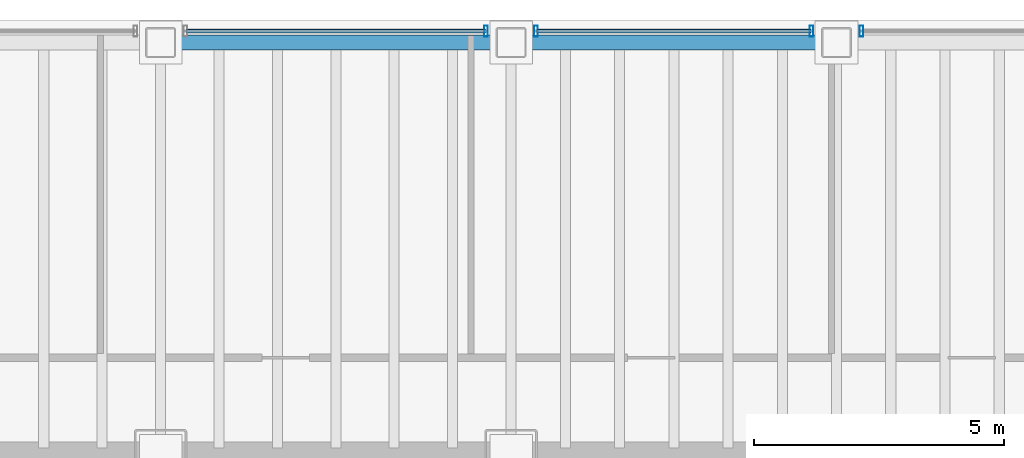
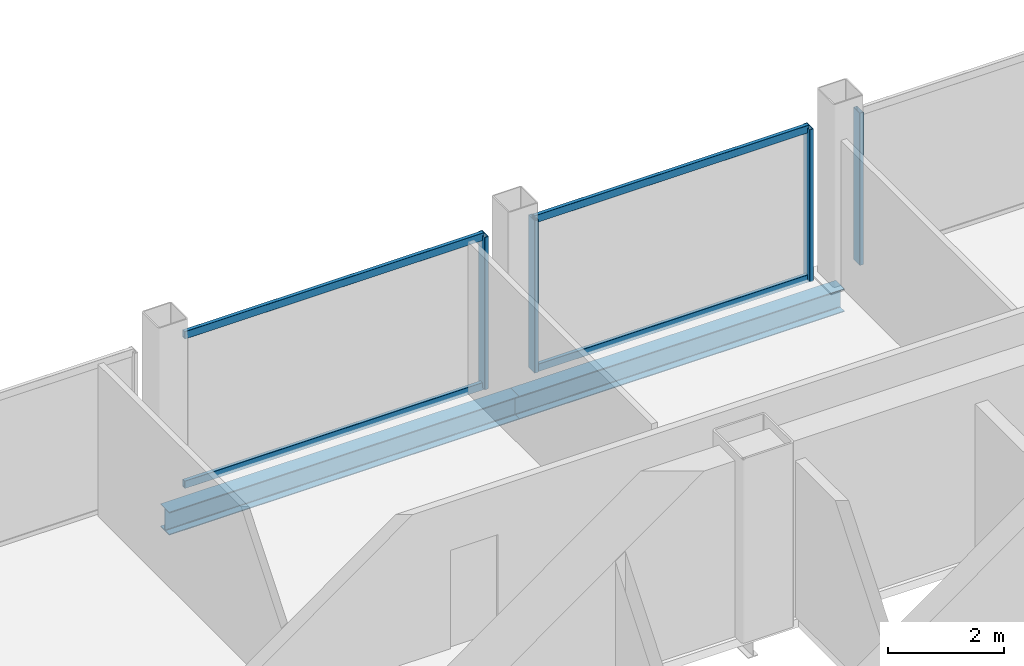
# One storey, part 14 of 20: 8 members, 2 beams, 3 elements without a shape of their own.
"""IFC4 building model written with IfcOpenShell, lengths in metres."""

from ifc_helpers import new_model, si_unit, direction, frame, origin, origin_2d, place, context, subcontext, project, spatial, hollow_rectangle, i_section, extrude, material, material_profile, profile_set, type_object, element, aggregate, save


model = new_model("IFC4")

# Units and contexts
model_context = context("Model", 3, precision=1e-05, world=origin(), true_north=direction((0.0, 1.0)))
body_context = subcontext(model_context, "Body", "Model", "MODEL_VIEW")
ifc_project = project(units=[si_unit("LENGTHUNIT", "METRE"), si_unit("AREAUNIT", "SQUARE_METRE"), si_unit("VOLUMEUNIT", "CUBIC_METRE"), si_unit("PLANEANGLEUNIT", "RADIAN"), si_unit("MASSUNIT", "GRAM", prefix="KILO")], contexts=[model_context])

# Site, building, storey
site_placement = place(None, origin())
site = spatial("IfcSite", under=ifc_project, at=site_placement, CompositionType="ELEMENT")
building_placement = place(site_placement, origin())
building = spatial("IfcBuilding", under=site, at=building_placement, Name="Noeulbin Bourse Tower", CompositionType="ELEMENT")
storey_placement = place(building_placement, frame((0.0, 0.0, 65.5)))
storey = spatial("IfcBuildingStorey", under=building, at=storey_placement, Name="L16", CompositionType="ELEMENT", Elevation=65.5)

# Beams
ifc_material_1 = material(Name="Steel S355", Category="steel")
ifc_material_profile_1 = material_profile(ifc_material_1, i_section(OverallWidth=0.300048828125, OverallDepth=0.488037109375, WebThickness=0.010986328125, FlangeThickness=0.01806640625, FilletRadius=0.02197265625, at=origin_2d()), Name="H-488x300x11x18", Category="LoadBearing")
ifc_profile_set_1 = profile_set([ifc_material_profile_1], Name="Steel S355")
beam_type = type_object("IfcBeamType", Name="BM-SPN-488", PredefinedType="SPANDREL", material=ifc_profile_set_1)
beam_1_placement = place(storey_placement, frame((24.0, 46.550048828125, -0.424072265625), z_axis=(1.0, 0.0, 0.0), x_axis=(0.0, 1.0, 0.0)))
element("IfcBeam", 1, at=beam_1_placement, inside=storey, type_object=beam_type, Name="North Spandrel L16-2", PredefinedType="SPANDREL", context=body_context, shape_type="SweptSolid", body=[
    extrude(i_section(OverallWidth=0.300048828125, OverallDepth=0.488037109375, WebThickness=0.010986328125, FlangeThickness=0.01806640625, FilletRadius=0.02197265625, at=origin_2d()), origin(), (0.0, 0.0, 1.0), 7.0),
])
beam_2_placement = place(storey_placement, frame((31.0, 46.550048828125, -0.424072265625), z_axis=(1.0, 0.0, 0.0), x_axis=(0.0, 1.0, 0.0)))
element("IfcBeam", 2, at=beam_2_placement, inside=storey, type_object=beam_type, Name="North Spandrel L16-3", PredefinedType="SPANDREL", context=body_context, shape_type="SweptSolid", body=[
    extrude(i_section(OverallWidth=0.300048828125, OverallDepth=0.488037109375, WebThickness=0.010986328125, FlangeThickness=0.01806640625, FilletRadius=0.02197265625, at=origin_2d()), origin(), (0.0, 0.0, 1.0), 6.5),
])

# Curtain wall, member
ifc_material_2 = material(Name="Dark Solar-Control Double Glazing", Category="glass")
curtain_wall_type = type_object("IfcCurtainWallType", Name="CW-SYS-2", PredefinedType="NOTDEFINED", material=ifc_material_2)
curtain_wall_1_placement = place(storey_placement, origin())
curtain_wall_1 = element("IfcCurtainWall", 3, at=curtain_wall_1_placement, inside=storey, type_object=curtain_wall_type, Name="Unitised Curtain Wall CW-L16-N-S3", PredefinedType="NOTDEFINED")
ifc_material_3 = material(Name="Anodised Aluminium 6063-T6", Category="aluminium")
ifc_material_profile_2 = material_profile(ifc_material_3, hollow_rectangle(XDim=0.074951171875, YDim=0.219970703125, WallThickness=0.0048828125, InnerFilletRadius=0.00244140625, OuterFilletRadius=0.0048828125, at=origin_2d()), Name="ALU-MULL-75x220x5", Category="LoadBearing")
ifc_profile_set_2 = profile_set([ifc_material_profile_2], Name="Anodised Aluminium 6063-T6")
member_type_1 = type_object("IfcMemberType", Name="CW-SYS-2-MUL", PredefinedType="MULLION", material=ifc_profile_set_2)
member_1_placement = place(storey_placement, frame((30.5, 46.780029296875, -0.02001953125), z_axis=(0.0, 0.0, 1.0), x_axis=(1.0, 0.0, 0.0)))
member_1 = element("IfcMember", 4, at=member_1_placement, type_object=member_type_1, Name="Curtain Wall Mullion CW-L16-N-S3-M01", PredefinedType="MULLION", context=body_context, shape_type="SweptSolid", body=[
    extrude(hollow_rectangle(XDim=0.074951171875, YDim=0.219970703125, WallThickness=0.0048828125, InnerFilletRadius=0.00244140625, OuterFilletRadius=0.0048828125, at=origin_2d()), origin(), (0.0, 0.0, 1.0), 3.219970703125),
])

# Curtain wall, members
curtain_wall_2_placement = place(storey_placement, origin())
curtain_wall_2 = element("IfcCurtainWall", 5, at=curtain_wall_2_placement, inside=storey, type_object=curtain_wall_type, Name="Unitised Curtain Wall CW-L16-N-S4", PredefinedType="NOTDEFINED")
member_2_placement = place(storey_placement, frame((31.5, 46.780029296875, -0.02001953125), z_axis=(0.0, 0.0, 1.0), x_axis=(1.0, 0.0, 0.0)))
member_2 = element("IfcMember", 6, at=member_2_placement, type_object=member_type_1, Name="Curtain Wall Mullion CW-L16-N-S4-M00", PredefinedType="MULLION", context=body_context, shape_type="SweptSolid", body=[
    extrude(hollow_rectangle(XDim=0.074951171875, YDim=0.219970703125, WallThickness=0.0048828125, InnerFilletRadius=0.00244140625, OuterFilletRadius=0.0048828125, at=origin_2d()), origin(), (0.0, 0.0, 1.0), 3.219970703125),
])
member_3_placement = place(storey_placement, frame((37.0, 46.780029296875, -0.02001953125), z_axis=(0.0, 0.0, 1.0), x_axis=(1.0, 0.0, 0.0)))
member_3 = element("IfcMember", 7, at=member_3_placement, type_object=member_type_1, Name="Curtain Wall Mullion CW-L16-N-S4-M01", PredefinedType="MULLION", context=body_context, shape_type="SweptSolid", body=[
    extrude(hollow_rectangle(XDim=0.074951171875, YDim=0.219970703125, WallThickness=0.0048828125, InnerFilletRadius=0.00244140625, OuterFilletRadius=0.0048828125, at=origin_2d()), origin(), (0.0, 0.0, 1.0), 3.219970703125),
])

# Curtain wall, member
curtain_wall_3_placement = place(storey_placement, origin())
curtain_wall_3 = element("IfcCurtainWall", 8, at=curtain_wall_3_placement, inside=storey, type_object=curtain_wall_type, Name="Unitised Curtain Wall CW-L16-N-S5", PredefinedType="NOTDEFINED")
member_4_placement = place(storey_placement, frame((38.0, 46.780029296875, -0.02001953125), z_axis=(0.0, 0.0, 1.0), x_axis=(1.0, 0.0, 0.0)))
member_4 = element("IfcMember", 9, at=member_4_placement, type_object=member_type_1, Name="Curtain Wall Mullion CW-L16-N-S5-M00", PredefinedType="MULLION", context=body_context, shape_type="SweptSolid", body=[
    extrude(hollow_rectangle(XDim=0.074951171875, YDim=0.219970703125, WallThickness=0.0048828125, InnerFilletRadius=0.00244140625, OuterFilletRadius=0.0048828125, at=origin_2d()), origin(), (0.0, 0.0, 1.0), 3.219970703125),
])
aggregate(curtain_wall_3, [member_4])

# Member
ifc_material_profile_3 = material_profile(ifc_material_3, hollow_rectangle(XDim=0.074951171875, YDim=0.159912109375, WallThickness=0.0048828125, InnerFilletRadius=0.00244140625, OuterFilletRadius=0.0048828125, at=origin_2d()), Name="ALU-TRAN-75x160x5", Category="LoadBearing")
ifc_profile_set_3 = profile_set([ifc_material_profile_3], Name="Anodised Aluminium 6063-T6")
member_type_2 = type_object("IfcMemberType", Name="CW-SYS-2-TRN", PredefinedType="USERDEFINED", material=ifc_profile_set_3)
member_5_placement = place(storey_placement, frame((24.510009765625, 46.780029296875, 0.010009765625), z_axis=(1.0, 0.0, 0.0), x_axis=(0.0, 1.0, 0.0)))
member_5 = element("IfcMember", 10, at=member_5_placement, type_object=member_type_2, Name="Curtain Wall Transom CW-L16-N-S3-T00", ObjectType="TRANSOM", PredefinedType="USERDEFINED", context=body_context, shape_type="SweptSolid", body=[
    extrude(hollow_rectangle(XDim=0.074951171875, YDim=0.159912109375, WallThickness=0.0048828125, InnerFilletRadius=0.00244140625, OuterFilletRadius=0.0048828125, at=origin_2d()), origin(), (0.0, 0.0, 1.0), 5.97998046875),
])

member_6_placement = place(storey_placement, frame((24.510009765625, 46.780029296875, 3.169921875), z_axis=(1.0, 0.0, 0.0), x_axis=(0.0, 1.0, 0.0)))
member_6 = element("IfcMember", 11, at=member_6_placement, type_object=member_type_2, Name="Curtain Wall Transom CW-L16-N-S3-T01", ObjectType="TRANSOM", PredefinedType="USERDEFINED", context=body_context, shape_type="SweptSolid", body=[
    extrude(hollow_rectangle(XDim=0.074951171875, YDim=0.159912109375, WallThickness=0.0048828125, InnerFilletRadius=0.00244140625, OuterFilletRadius=0.0048828125, at=origin_2d()), origin(), (0.0, 0.0, 1.0), 5.97998046875),
])

aggregate(curtain_wall_1, [member_1, member_5, member_6])

member_7_placement = place(storey_placement, frame((31.510009765625, 46.780029296875, 0.010009765625), z_axis=(1.0, 0.0, 0.0), x_axis=(0.0, 1.0, 0.0)))
member_7 = element("IfcMember", 12, at=member_7_placement, type_object=member_type_2, Name="Curtain Wall Transom CW-L16-N-S4-T00", ObjectType="TRANSOM", PredefinedType="USERDEFINED", context=body_context, shape_type="SweptSolid", body=[
    extrude(hollow_rectangle(XDim=0.074951171875, YDim=0.159912109375, WallThickness=0.0048828125, InnerFilletRadius=0.00244140625, OuterFilletRadius=0.0048828125, at=origin_2d()), origin(), (0.0, 0.0, 1.0), 5.47998046875),
])

member_8_placement = place(storey_placement, frame((31.510009765625, 46.780029296875, 3.169921875), z_axis=(1.0, 0.0, 0.0), x_axis=(0.0, 1.0, 0.0)))
member_8 = element("IfcMember", 13, at=member_8_placement, type_object=member_type_2, Name="Curtain Wall Transom CW-L16-N-S4-T01", ObjectType="TRANSOM", PredefinedType="USERDEFINED", context=body_context, shape_type="SweptSolid", body=[
    extrude(hollow_rectangle(XDim=0.074951171875, YDim=0.159912109375, WallThickness=0.0048828125, InnerFilletRadius=0.00244140625, OuterFilletRadius=0.0048828125, at=origin_2d()), origin(), (0.0, 0.0, 1.0), 5.47998046875),
])

aggregate(curtain_wall_2, [member_2, member_3, member_7, member_8])

save(model, "model.ifc")
